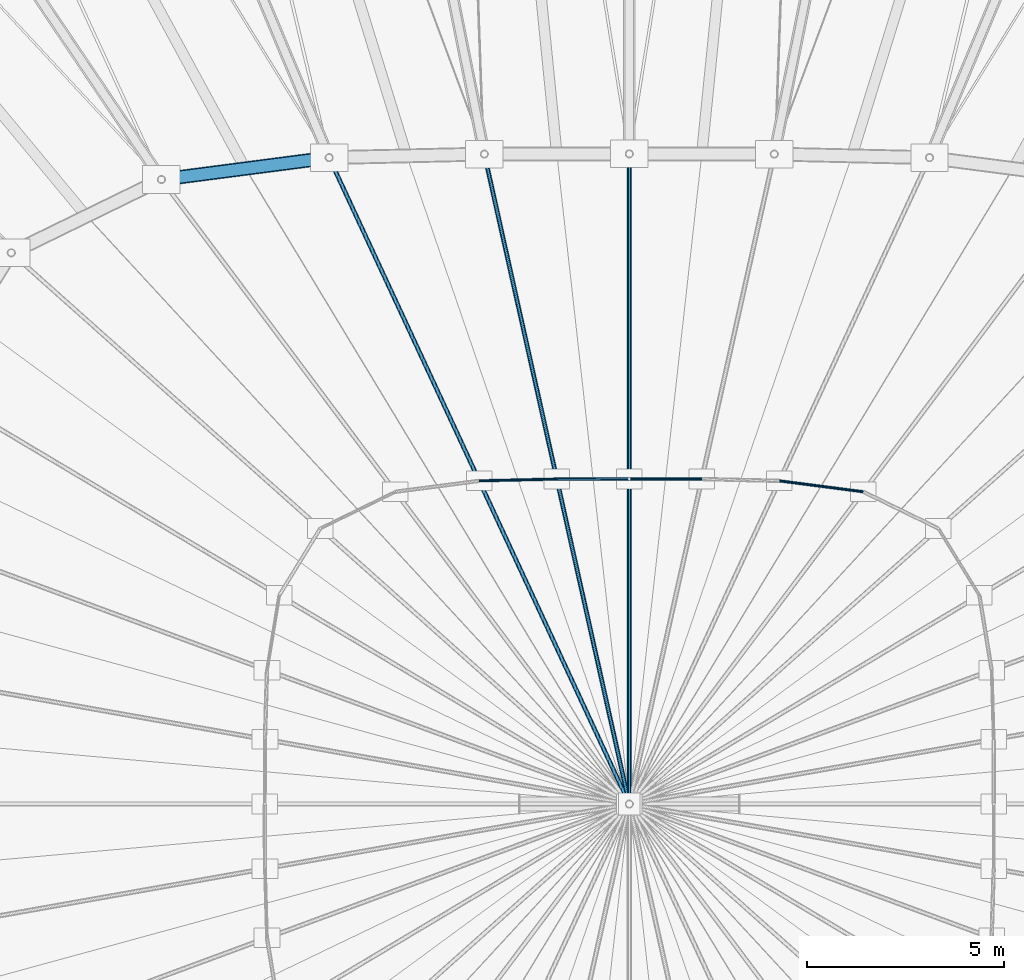
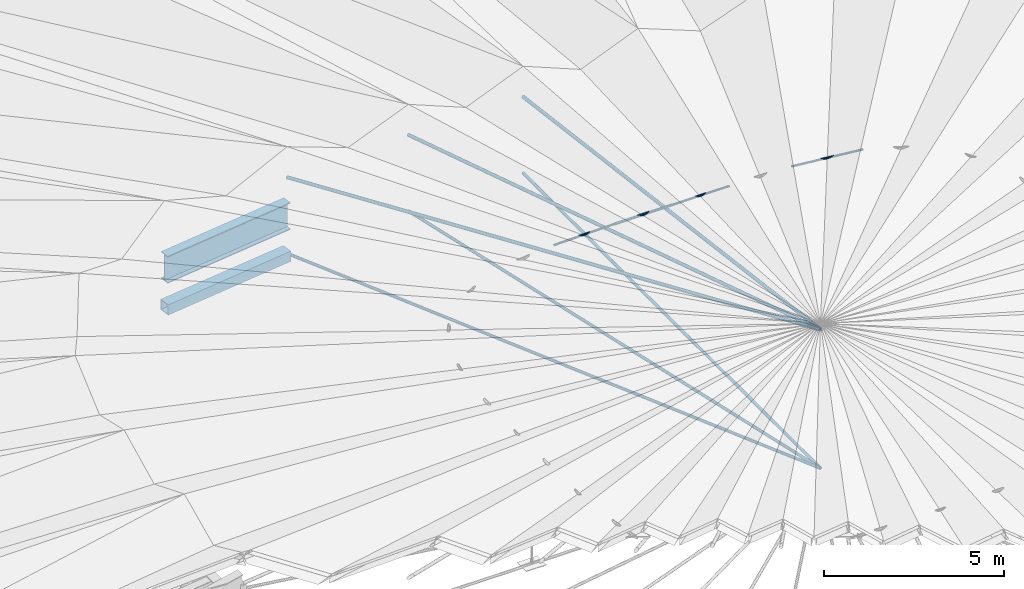
# One storey, part 15 of 41: 11 members, 1 beam.
"""IFC4 building model written with IfcOpenShell, lengths in metres."""

from ifc_helpers import new_model, si_unit, direction, frame, origin, origin_2d, place, context, subcontext, project, spatial, hollow_rectangle, circle, i_section, extrude, material, material_profile, profile_set, type_object, element, save


model = new_model("IFC4")

# Units and contexts
model_context = context("Model", 3, precision=1e-05, world=origin(), true_north=direction((0.0, 1.0)))
body_context = subcontext(model_context, "Body", "Model", "MODEL_VIEW")
ifc_project = project(units=[si_unit("LENGTHUNIT", "METRE"), si_unit("AREAUNIT", "SQUARE_METRE"), si_unit("VOLUMEUNIT", "CUBIC_METRE"), si_unit("PLANEANGLEUNIT", "RADIAN"), si_unit("MASSUNIT", "GRAM", prefix="KILO")], contexts=[model_context])

# Site, building, storey
site_placement = place(None, origin())
site = spatial("IfcSite", under=ifc_project, at=site_placement, CompositionType="ELEMENT")
building_placement = place(site_placement, origin())
building = spatial("IfcBuilding", under=site, at=building_placement, Name="Luwafu Chhajja Arena", CompositionType="ELEMENT")
storey_placement = place(building_placement, frame((0.0, 0.0, 29.699951171875)))
storey = spatial("IfcBuildingStorey", under=building, at=storey_placement, Name="RF", CompositionType="ELEMENT", Elevation=29.699951171875)

# Beam
ifc_material_1 = material(Name="Steel S355", Category="steel")
ifc_material_profile_1 = material_profile(ifc_material_1, i_section(OverallWidth=0.305419921875, OverallDepth=0.91845703125, WebThickness=0.017333984375, FlangeThickness=0.02783203125, at=origin_2d()), Name="UB 914x305x253")
ifc_profile_set_1 = profile_set([ifc_material_profile_1], Name="Steel S355")
beam_type = type_object("IfcBeamType", Name="Inner Tension Ring Girder UB 914x305x253", PredefinedType="BEAM", material=ifc_profile_set_1)
beam_placement = place(storey_placement, frame((91.38134765625, 65.904541015625, 5.449951171875), z_axis=(-0.9916194337, -0.129193261083, 0.0), x_axis=(0.129193261083, -0.9916194337, 0.0)))
element("IfcBeam", 1, at=beam_placement, inside=storey, type_object=beam_type, Name="Roof Inner Tension Ring Beam IR-11", PredefinedType="BEAM", context=body_context, shape_type="SweptSolid", body=[
    extrude(i_section(OverallWidth=0.305419921875, OverallDepth=0.91845703125, WebThickness=0.017333984375, FlangeThickness=0.02783203125, at=origin_2d()), origin(), (0.0, 0.0, 1.0), 4.29150390625),
])

# Members
ifc_material_2 = material(Name="Steel S460", Category="steel")
ifc_material_profile_2 = material_profile(ifc_material_2, circle(Radius=0.04248046875, at=origin_2d()), Name="CABLE D85")
ifc_profile_set_2 = profile_set([ifc_material_profile_2], Name="Steel S460")
member_type_1 = type_object("IfcMemberType", Name="Oculus Hoop Tie Cable D85", PredefinedType="USERDEFINED", material=ifc_profile_set_2)
member_1_placement = place(storey_placement, frame((99.0, 57.75, 8.02001953125), z_axis=(-0.999999286485, -0.001194583698, 0.0), x_axis=(0.001194583698, -0.999999286485, 0.0)))
element("IfcMember", 2, at=member_1_placement, inside=storey, type_object=member_type_1, Name="Cable net hoop cable CBH-09", ObjectType="CABLE", PredefinedType="USERDEFINED", context=body_context, shape_type="SweptSolid", body=[
    extrude(circle(Radius=0.04248046875, at=origin_2d()), origin(), (0.0, 0.0, 1.0), 1.83935546875),
])
ifc_material_profile_3 = material_profile(ifc_material_2, circle(Radius=0.054931640625, at=origin_2d()), Name="CABLE D110")
ifc_profile_set_3 = profile_set([ifc_material_profile_3], Name="Steel S460")
member_type_2 = type_object("IfcMemberType", Name="Oculus Radial Main Cable D110", PredefinedType="USERDEFINED", material=ifc_profile_set_3)
member_2_placement = place(storey_placement, frame((99.0, 66.0, 6.679931640625), z_axis=(0.0, -0.99184574271, 0.127444194331), x_axis=(1.0, 0.0, 0.0)))
element("IfcMember", 3, at=member_2_placement, inside=storey, type_object=member_type_2, Name="Cable net main cable CBM-09", ObjectType="CABLE", PredefinedType="USERDEFINED", context=body_context, shape_type="SweptSolid", body=[
    extrude(circle(Radius=0.054931640625, at=origin_2d()), origin(), (0.0, 0.0, 1.0), 16.6357421875),
])
member_3_placement = place(storey_placement, frame((95.321044921875, 65.99560546875, 6.679931640625), z_axis=(0.215985560468, -0.968430577916, 0.124468684525), x_axis=(0.976020566131, 0.21767832802, 0.0)))
element("IfcMember", 4, at=member_3_placement, inside=storey, type_object=member_type_2, Name="Cable net main cable CBM-10", ObjectType="CABLE", PredefinedType="USERDEFINED", context=body_context, shape_type="SweptSolid", body=[
    extrude(circle(Radius=0.054931640625, at=origin_2d()), origin(), (0.0, 0.0, 1.0), 17.033447265625),
])
member_4_placement = place(storey_placement, frame((91.38134765625, 65.904541015625, 6.679931640625), z_axis=(0.418349875467, -0.900794180037, 0.116418327198), x_axis=(0.906961273294, 0.421214017746, 0.0)))
element("IfcMember", 5, at=member_4_placement, inside=storey, type_object=member_type_2, Name="Cable net main cable CBM-11", ObjectType="CABLE", PredefinedType="USERDEFINED", context=body_context, shape_type="SweptSolid", body=[
    extrude(circle(Radius=0.054931640625, at=origin_2d()), origin(), (0.0, 0.0, 1.0), 18.211181640625),
])
ifc_material_profile_4 = material_profile(ifc_material_2, circle(Radius=0.047607421875, at=origin_2d()), Name="CABLE D95")
ifc_profile_set_4 = profile_set([ifc_material_profile_4], Name="Steel S460")
member_type_3 = type_object("IfcMemberType", Name="Oculus Radial Stabilizing Cable D95", PredefinedType="USERDEFINED", material=ifc_profile_set_4)
member_5_placement = place(storey_placement, frame((99.0, 66.0, 4.10009765625), z_axis=(0.0, -1.0, 0.0), x_axis=(1.0, 0.0, 0.0)))
element("IfcMember", 6, at=member_5_placement, inside=storey, type_object=member_type_3, Name="Cable net radial split stabilizing cable CBS-09", ObjectType="CABLE", PredefinedType="USERDEFINED", context=body_context, shape_type="SweptSolid", body=[
    extrude(circle(Radius=0.047607421875, at=origin_2d()), origin(), (0.0, 0.0, 1.0), 16.5),
])
member_6_placement = place(storey_placement, frame((95.321044921875, 65.99560546875, 4.10009765625), z_axis=(0.21767832802, -0.976020566131, 0.0), x_axis=(0.976020566131, 0.21767832802, 0.0)))
element("IfcMember", 7, at=member_6_placement, inside=storey, type_object=member_type_3, Name="Cable net radial split stabilizing cable CBS-10", ObjectType="CABLE", PredefinedType="USERDEFINED", context=body_context, shape_type="SweptSolid", body=[
    extrude(circle(Radius=0.047607421875, at=origin_2d()), origin(), (0.0, 0.0, 1.0), 16.90087890625),
])
member_7_placement = place(storey_placement, frame((91.38134765625, 65.904541015625, 4.10009765625), z_axis=(0.421214017746, -0.906961273294, 0.0), x_axis=(0.906961273294, 0.421214017746, 0.0)))
element("IfcMember", 8, at=member_7_placement, inside=storey, type_object=member_type_3, Name="Cable net radial split stabilizing cable CBS-11", ObjectType="CABLE", PredefinedType="USERDEFINED", context=body_context, shape_type="SweptSolid", body=[
    extrude(circle(Radius=0.047607421875, at=origin_2d()), origin(), (0.0, 0.0, 1.0), 18.08740234375),
])
ifc_material_profile_5 = material_profile(ifc_material_2, circle(Radius=0.034912109375, at=origin_2d()), Name="CABLE D70")
ifc_profile_set_5 = profile_set([ifc_material_profile_5], Name="Steel S460")
member_type_4 = type_object("IfcMemberType", Name="Oculus Secondary Tie Cable D70", PredefinedType="USERDEFINED", material=ifc_profile_set_5)
member_8_placement = place(storey_placement, frame((104.937255859375, 57.425048828125, 8.02001953125), z_axis=(-0.991627668784, 0.129130037181, 0.0), x_axis=(-0.129130037181, -0.991627668784, 0.0)))
element("IfcMember", 9, at=member_8_placement, inside=storey, type_object=member_type_4, Name="Cable net hoop cable CBH-06", ObjectType="CABLE", PredefinedType="USERDEFINED", context=body_context, shape_type="SweptSolid", body=[
    extrude(circle(Radius=0.034912109375, at=origin_2d()), origin(), (0.0, 0.0, 1.0), 2.14599609375),
])
member_9_placement = place(storey_placement, frame((100.83935546875, 57.747802734375, 8.02001953125), z_axis=(-0.999999286485, 0.001194583698, 0.0), x_axis=(-0.001194583698, -0.999999286485, 0.0)))
element("IfcMember", 10, at=member_9_placement, inside=storey, type_object=member_type_4, Name="Cable net hoop cable CBH-08", ObjectType="CABLE", PredefinedType="USERDEFINED", context=body_context, shape_type="SweptSolid", body=[
    extrude(circle(Radius=0.034912109375, at=origin_2d()), origin(), (0.0, 0.0, 1.0), 1.83935546875),
])
member_10_placement = place(storey_placement, frame((97.16064453125, 57.747802734375, 8.02001953125), z_axis=(-0.999731565155, -0.023168893628, 0.0), x_axis=(0.023168893628, -0.999731565155, 0.0)))
element("IfcMember", 11, at=member_10_placement, inside=storey, type_object=member_type_4, Name="Cable net hoop cable CBH-10", ObjectType="CABLE", PredefinedType="USERDEFINED", context=body_context, shape_type="SweptSolid", body=[
    extrude(circle(Radius=0.034912109375, at=origin_2d()), origin(), (0.0, 0.0, 1.0), 1.970458984375),
])
ifc_material_profile_6 = material_profile(ifc_material_1, hollow_rectangle(XDim=0.35009765625, YDim=0.35009765625, WallThickness=0.01611328125, at=origin_2d()), Name="SHS 350x350x16")
ifc_profile_set_6 = profile_set([ifc_material_profile_6], Name="Steel S355")
member_type_5 = type_object("IfcMemberType", Name="Ring Stabilizing Truss Chord SHS 350", PredefinedType="CHORD", material=ifc_profile_set_6)
member_11_placement = place(storey_placement, frame((91.38134765625, 65.904541015625, 4.10009765625), z_axis=(-0.9916194337, -0.129193261083, 0.0), x_axis=(0.129193261083, -0.9916194337, 0.0)))
element("IfcMember", 12, at=member_11_placement, inside=storey, type_object=member_type_5, Name="Roof Inner Stabilizing Ring Chord IRC-11", PredefinedType="CHORD", context=body_context, shape_type="SweptSolid", body=[
    extrude(hollow_rectangle(XDim=0.35009765625, YDim=0.35009765625, WallThickness=0.01611328125, at=origin_2d()), origin(), (0.0, 0.0, 1.0), 4.29150390625),
])

save(model, "model.ifc")
